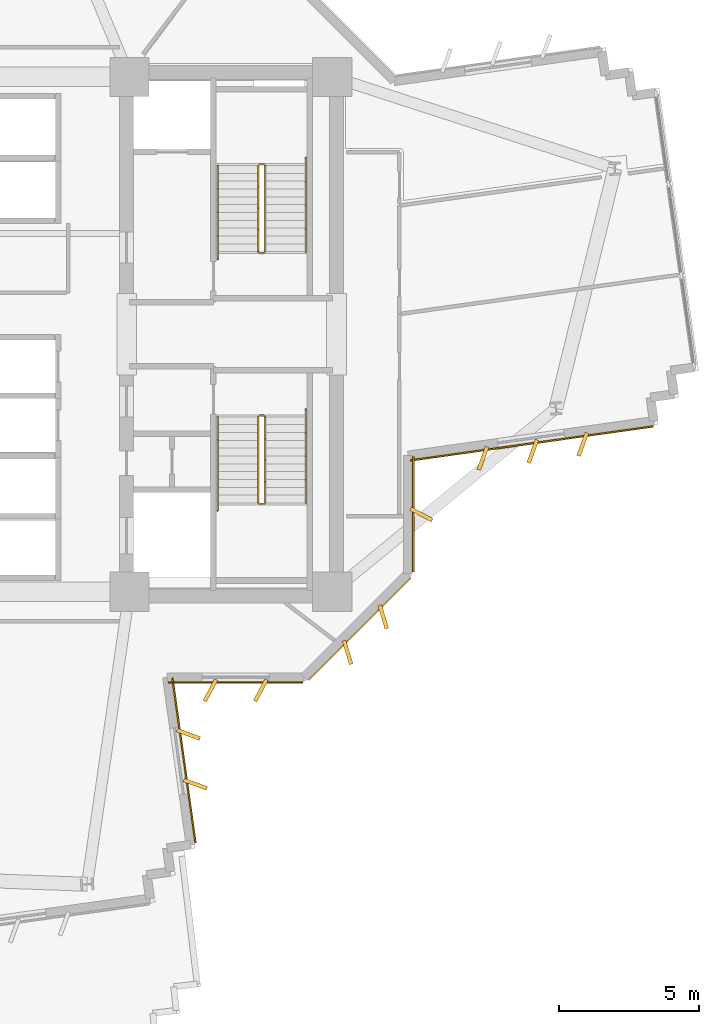
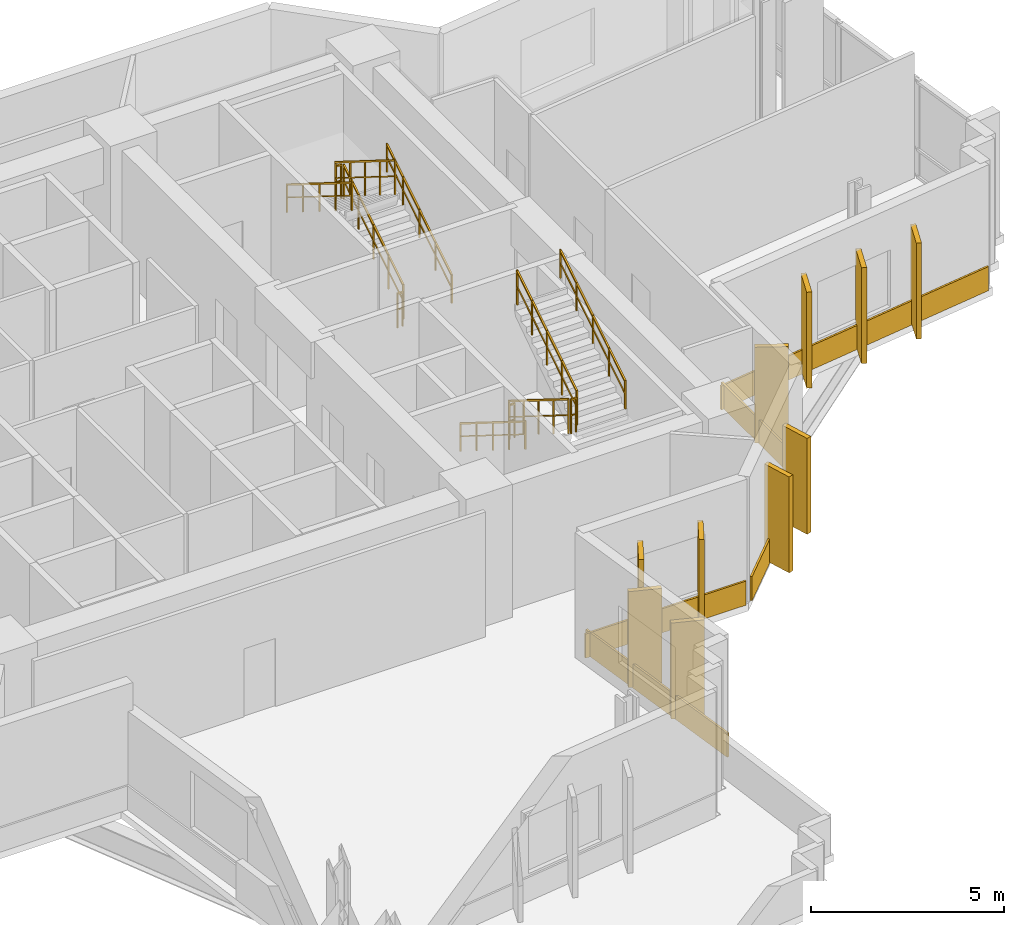
# One storey, part 12 of 13: 15 coverings, 12 railings.
"""IFC4 building model written with IfcOpenShell, lengths in metres."""

from ifc_helpers import new_model, si_unit, direction, frame, origin, origin_2d, place, context, subcontext, project, spatial, rectangle, extrude, source, transform, mapped, material, layer, layer_set, type_object, element, save


model = new_model("IFC4")

# Units and contexts
model_context = context("Model", 3, precision=1e-05, world=origin(), true_north=direction((0.0, 1.0)))
body_context = subcontext(model_context, "Body", "Model", "MODEL_VIEW")
ifc_project = project(units=[si_unit("LENGTHUNIT", "METRE"), si_unit("AREAUNIT", "SQUARE_METRE"), si_unit("VOLUMEUNIT", "CUBIC_METRE"), si_unit("PLANEANGLEUNIT", "RADIAN"), si_unit("MASSUNIT", "GRAM", prefix="KILO")], contexts=[model_context])

# Site, building, storey
site_placement = place(None, origin())
site = spatial("IfcSite", under=ifc_project, at=site_placement, CompositionType="ELEMENT")
building_placement = place(site_placement, origin())
building = spatial("IfcBuilding", under=site, at=building_placement, Name="Zahravan Cultural Tower", CompositionType="ELEMENT")
storey_placement = place(building_placement, frame((0.0, 0.0, 117.300048828125)))
storey = spatial("IfcBuildingStorey", under=building, at=storey_placement, Name="L26", CompositionType="ELEMENT", Elevation=117.300048828125)

# Railings
ifc_material_1 = material(Name="Steel ASTM A572 Grade 50", Category="steel")
railing_type_1 = type_object("IfcRailingType", Name="RL-STAIR-GRD1150", PredefinedType="BALUSTRADE", material=ifc_material_1)
railing_1_placement = place(storey_placement, frame((47.949951171875, 29.949951171875, 0.175048828125)))
element("IfcRailing", 1, at=railing_1_placement, inside=storey, type_object=railing_type_1, Name="L26 ST-E1 stair guard 1", PredefinedType="BALUSTRADE", context=body_context, shape_type="SweptSolid", body=[
    extrude(rectangle(XDim=0.05, YDim=0.05, at=origin_2d()), frame((0.0, 0.0, 1.0751953125), z_axis=(0.0, 0.848028513186, 0.529950602248), x_axis=(-1.0, 0.0, 0.0)), (0.0, 0.0, 1.0), 3.632080078125),
    extrude(rectangle(XDim=0.032, YDim=0.032, at=origin_2d()), frame((0.0, 0.0, 0.572021484375), z_axis=(0.0, 0.848028513186, 0.529950602248), x_axis=(-1.0, 0.0, 0.0)), (0.0, 0.0, 1.0), 3.632080078125),
    extrude(rectangle(XDim=0.04, YDim=0.04, at=origin_2d()), origin(), (0.0, 0.0, 1.0), 1.10009765625),
    extrude(rectangle(XDim=0.04, YDim=0.04, at=origin_2d()), frame((0.0, 0.77001953125, 0.481201171875)), (0.0, 0.0, 1.0), 1.10009765625),
    extrude(rectangle(XDim=0.04, YDim=0.04, at=origin_2d()), frame((0.0, 1.5400390625, 0.96240234375)), (0.0, 0.0, 1.0), 1.10009765625),
    extrude(rectangle(XDim=0.04, YDim=0.04, at=origin_2d()), frame((0.0, 2.31005859375, 1.443603515625)), (0.0, 0.0, 1.0), 1.10009765625),
    extrude(rectangle(XDim=0.04, YDim=0.04, at=origin_2d()), frame((0.0, 3.080078125, 1.9248046875)), (0.0, 0.0, 1.0), 1.10009765625),
])
railing_2_placement = place(storey_placement, frame((47.89990234375, 33.080078125, 2.099853515625)))
element("IfcRailing", 2, at=railing_2_placement, inside=storey, type_object=railing_type_1, Name="L26 ST-E1 stair guard 2", PredefinedType="BALUSTRADE", context=body_context, shape_type="SweptSolid", body=[
    extrude(rectangle(XDim=0.05, YDim=0.05, at=origin_2d()), frame((0.0, 0.0, 1.0751953125), z_axis=(-1.0, 0.0, 0.0), x_axis=(0.0, -1.0, 0.0)), (0.0, 0.0, 1.0), 0.14990234375),
    extrude(rectangle(XDim=0.032, YDim=0.032, at=origin_2d()), frame((0.0, 0.0, 0.572021484375), z_axis=(-1.0, 0.0, 0.0), x_axis=(0.0, -1.0, 0.0)), (0.0, 0.0, 1.0), 0.14990234375),
    extrude(rectangle(XDim=0.04, YDim=0.04, at=origin_2d()), origin(), (0.0, 0.0, 1.0), 1.10009765625),
    extrude(rectangle(XDim=0.04, YDim=0.04, at=origin_2d()), frame((-0.14990234375, 0.0, 0.0)), (0.0, 0.0, 1.0), 1.10009765625),
])
railing_3_placement = place(storey_placement, frame((47.699951171875, 33.030029296875, 2.27490234375)))
element("IfcRailing", 3, at=railing_3_placement, inside=storey, type_object=railing_type_1, Name="L26 ST-E1 stair guard 3", PredefinedType="BALUSTRADE", context=body_context, shape_type="SweptSolid", body=[
    extrude(rectangle(XDim=0.05, YDim=0.05, at=origin_2d()), frame((0.0, 0.0, 1.0751953125), z_axis=(0.0, -0.847998304005, 0.529998940003), x_axis=(1.0, 0.0, 0.0)), (0.0, 0.0, 1.0), 3.632080078125),
    extrude(rectangle(XDim=0.032, YDim=0.032, at=origin_2d()), frame((0.0, 0.0, 0.572021484375), z_axis=(0.0, -0.847998304005, 0.529998940003), x_axis=(1.0, 0.0, 0.0)), (0.0, 0.0, 1.0), 3.632080078125),
    extrude(rectangle(XDim=0.04, YDim=0.04, at=origin_2d()), origin(), (0.0, 0.0, 1.0), 1.10009765625),
    extrude(rectangle(XDim=0.04, YDim=0.04, at=origin_2d()), frame((0.0, -0.77001953125, 0.481201171875)), (0.0, 0.0, 1.0), 1.10009765625),
    extrude(rectangle(XDim=0.04, YDim=0.04, at=origin_2d()), frame((0.0, -1.5400390625, 0.96240234375)), (0.0, 0.0, 1.0), 1.10009765625),
    extrude(rectangle(XDim=0.04, YDim=0.04, at=origin_2d()), frame((0.0, -2.31005859375, 1.44384765625)), (0.0, 0.0, 1.0), 1.10009765625),
    extrude(rectangle(XDim=0.04, YDim=0.04, at=origin_2d()), frame((0.0, -3.080078125, 1.925048828125)), (0.0, 0.0, 1.0), 1.10009765625),
])
railing_4_placement = place(storey_placement, frame((47.89990234375, 29.89990234375, 0.0)))
element("IfcRailing", 4, at=railing_4_placement, inside=storey, type_object=railing_type_1, Name="L26 ST-E1 stair guard 4", PredefinedType="BALUSTRADE", context=body_context, shape_type="SweptSolid", body=[
    extrude(rectangle(XDim=0.05, YDim=0.05, at=origin_2d()), frame((0.0, 0.0, 1.0751953125), z_axis=(-1.0, 0.0, 0.0), x_axis=(0.0, -1.0, 0.0)), (0.0, 0.0, 1.0), 0.14990234375),
    extrude(rectangle(XDim=0.032, YDim=0.032, at=origin_2d()), frame((0.0, 0.0, 0.572021484375), z_axis=(-1.0, 0.0, 0.0), x_axis=(0.0, -1.0, 0.0)), (0.0, 0.0, 1.0), 0.14990234375),
    extrude(rectangle(XDim=0.04, YDim=0.04, at=origin_2d()), origin(), (0.0, 0.0, 1.0), 1.10009765625),
    extrude(rectangle(XDim=0.04, YDim=0.04, at=origin_2d()), frame((-0.14990234375, 0.0, 0.0)), (0.0, 0.0, 1.0), 1.10009765625),
])
railing_5_placement = place(storey_placement, frame((47.699951171875, 24.050048828125, 0.175048828125)))
element("IfcRailing", 5, at=railing_5_placement, inside=storey, type_object=railing_type_1, Name="L26 ST-E2 stair guard 1", PredefinedType="BALUSTRADE", context=body_context, shape_type="SweptSolid", body=[
    extrude(rectangle(XDim=0.05, YDim=0.05, at=origin_2d()), frame((0.0, 0.0, 1.0751953125), z_axis=(0.0, -0.848028513186, 0.529950602248), x_axis=(1.0, 0.0, 0.0)), (0.0, 0.0, 1.0), 3.632080078125),
    extrude(rectangle(XDim=0.032, YDim=0.032, at=origin_2d()), frame((0.0, 0.0, 0.572021484375), z_axis=(0.0, -0.848028513186, 0.529950602248), x_axis=(1.0, 0.0, 0.0)), (0.0, 0.0, 1.0), 3.632080078125),
    extrude(rectangle(XDim=0.04, YDim=0.04, at=origin_2d()), origin(), (0.0, 0.0, 1.0), 1.10009765625),
    extrude(rectangle(XDim=0.04, YDim=0.04, at=origin_2d()), frame((0.0, -0.77001953125, 0.481201171875)), (0.0, 0.0, 1.0), 1.10009765625),
    extrude(rectangle(XDim=0.04, YDim=0.04, at=origin_2d()), frame((0.0, -1.5400390625, 0.96240234375)), (0.0, 0.0, 1.0), 1.10009765625),
    extrude(rectangle(XDim=0.04, YDim=0.04, at=origin_2d()), frame((0.0, -2.31005859375, 1.443603515625)), (0.0, 0.0, 1.0), 1.10009765625),
    extrude(rectangle(XDim=0.04, YDim=0.04, at=origin_2d()), frame((0.0, -3.080078125, 1.9248046875)), (0.0, 0.0, 1.0), 1.10009765625),
])
railing_6_placement = place(storey_placement, frame((47.75, 20.919921875, 2.099853515625)))
element("IfcRailing", 6, at=railing_6_placement, inside=storey, type_object=railing_type_1, Name="L26 ST-E2 stair guard 2", PredefinedType="BALUSTRADE", context=body_context, shape_type="SweptSolid", body=[
    extrude(rectangle(XDim=0.05, YDim=0.05, at=origin_2d()), frame((0.0, 0.0, 1.0751953125), z_axis=(1.0, 0.0, 0.0), x_axis=(0.0, 1.0, 0.0)), (0.0, 0.0, 1.0), 0.14990234375),
    extrude(rectangle(XDim=0.032, YDim=0.032, at=origin_2d()), frame((0.0, 0.0, 0.572021484375), z_axis=(1.0, 0.0, 0.0), x_axis=(0.0, 1.0, 0.0)), (0.0, 0.0, 1.0), 0.14990234375),
    extrude(rectangle(XDim=0.04, YDim=0.04, at=origin_2d()), origin(), (0.0, 0.0, 1.0), 1.10009765625),
    extrude(rectangle(XDim=0.04, YDim=0.04, at=origin_2d()), frame((0.14990234375, 0.0, 0.0)), (0.0, 0.0, 1.0), 1.10009765625),
])
railing_7_placement = place(storey_placement, frame((47.949951171875, 20.969970703125, 2.27490234375)))
element("IfcRailing", 7, at=railing_7_placement, inside=storey, type_object=railing_type_1, Name="L26 ST-E2 stair guard 3", PredefinedType="BALUSTRADE", context=body_context, shape_type="SweptSolid", body=[
    extrude(rectangle(XDim=0.05, YDim=0.05, at=origin_2d()), frame((0.0, 0.0, 1.0751953125), z_axis=(0.0, 0.847998304005, 0.529998940003), x_axis=(-1.0, 0.0, 0.0)), (0.0, 0.0, 1.0), 3.632080078125),
    extrude(rectangle(XDim=0.032, YDim=0.032, at=origin_2d()), frame((0.0, 0.0, 0.572021484375), z_axis=(0.0, 0.847998304005, 0.529998940003), x_axis=(-1.0, 0.0, 0.0)), (0.0, 0.0, 1.0), 3.632080078125),
    extrude(rectangle(XDim=0.04, YDim=0.04, at=origin_2d()), origin(), (0.0, 0.0, 1.0), 1.10009765625),
    extrude(rectangle(XDim=0.04, YDim=0.04, at=origin_2d()), frame((0.0, 0.77001953125, 0.481201171875)), (0.0, 0.0, 1.0), 1.10009765625),
    extrude(rectangle(XDim=0.04, YDim=0.04, at=origin_2d()), frame((0.0, 1.5400390625, 0.96240234375)), (0.0, 0.0, 1.0), 1.10009765625),
    extrude(rectangle(XDim=0.04, YDim=0.04, at=origin_2d()), frame((0.0, 2.31005859375, 1.44384765625)), (0.0, 0.0, 1.0), 1.10009765625),
    extrude(rectangle(XDim=0.04, YDim=0.04, at=origin_2d()), frame((0.0, 3.080078125, 1.925048828125)), (0.0, 0.0, 1.0), 1.10009765625),
])
railing_8_placement = place(storey_placement, frame((47.75, 24.10009765625, 0.0)))
element("IfcRailing", 8, at=railing_8_placement, inside=storey, type_object=railing_type_1, Name="L26 ST-E2 stair guard 4", PredefinedType="BALUSTRADE", context=body_context, shape_type="SweptSolid", body=[
    extrude(rectangle(XDim=0.05, YDim=0.05, at=origin_2d()), frame((0.0, 0.0, 1.0751953125), z_axis=(1.0, 0.0, 0.0), x_axis=(0.0, 1.0, 0.0)), (0.0, 0.0, 1.0), 0.14990234375),
    extrude(rectangle(XDim=0.032, YDim=0.032, at=origin_2d()), frame((0.0, 0.0, 0.572021484375), z_axis=(1.0, 0.0, 0.0), x_axis=(0.0, 1.0, 0.0)), (0.0, 0.0, 1.0), 0.14990234375),
    extrude(rectangle(XDim=0.04, YDim=0.04, at=origin_2d()), origin(), (0.0, 0.0, 1.0), 1.10009765625),
    extrude(rectangle(XDim=0.04, YDim=0.04, at=origin_2d()), frame((0.14990234375, 0.0, 0.0)), (0.0, 0.0, 1.0), 1.10009765625),
])
railing_type_2 = type_object("IfcRailingType", Name="RL-STAIR-HR900", PredefinedType="HANDRAIL", material=ifc_material_1)
railing_9_placement = place(storey_placement, frame((49.39990234375, 29.949951171875, 0.175048828125)))
element("IfcRailing", 9, at=railing_9_placement, inside=storey, type_object=railing_type_2, Name="L26 ST-E1 stair handrail 1", PredefinedType="HANDRAIL", context=body_context, shape_type="SweptSolid", body=[
    extrude(rectangle(XDim=0.05, YDim=0.05, at=origin_2d()), frame((0.0, 0.0, 0.875), z_axis=(0.0, 0.848022534174, 0.529960169762), x_axis=(-1.0, 0.0, 0.0)), (0.0, 0.0, 1.0), 3.96240234375),
    extrude(rectangle(XDim=0.032, YDim=0.032, at=origin_2d()), frame((0.0, 0.0, 0.468017578125), z_axis=(0.0, 0.848022534174, 0.529960169762), x_axis=(-1.0, 0.0, 0.0)), (0.0, 0.0, 1.0), 3.96240234375),
    extrude(rectangle(XDim=0.04, YDim=0.04, at=origin_2d()), origin(), (0.0, 0.0, 1.0), 0.89990234375),
    extrude(rectangle(XDim=0.04, YDim=0.04, at=origin_2d()), frame((0.0, 0.840087890625, 0.52490234375)), (0.0, 0.0, 1.0), 0.89990234375),
    extrude(rectangle(XDim=0.04, YDim=0.04, at=origin_2d()), frame((0.0, 1.68017578125, 1.0498046875)), (0.0, 0.0, 1.0), 0.89990234375),
    extrude(rectangle(XDim=0.04, YDim=0.04, at=origin_2d()), frame((0.0, 2.52001953125, 1.574951171875)), (0.0, 0.0, 1.0), 0.89990234375),
    extrude(rectangle(XDim=0.04, YDim=0.04, at=origin_2d()), frame((0.0, 3.360107421875, 2.099853515625)), (0.0, 0.0, 1.0), 0.89990234375),
])
railing_10_placement = place(storey_placement, frame((46.25, 33.030029296875, 2.27490234375)))
element("IfcRailing", 10, at=railing_10_placement, inside=storey, type_object=railing_type_2, Name="L26 ST-E1 stair handrail 2", PredefinedType="HANDRAIL", context=body_context, shape_type="SweptSolid", body=[
    extrude(rectangle(XDim=0.05, YDim=0.05, at=origin_2d()), frame((0.0, 0.0, 0.875), z_axis=(0.0, -0.847994842521, 0.530004478338), x_axis=(1.0, 0.0, 0.0)), (0.0, 0.0, 1.0), 3.96240234375),
    extrude(rectangle(XDim=0.032, YDim=0.032, at=origin_2d()), frame((0.0, 0.0, 0.468017578125), z_axis=(0.0, -0.847994842521, 0.530004478338), x_axis=(1.0, 0.0, 0.0)), (0.0, 0.0, 1.0), 3.96240234375),
    extrude(rectangle(XDim=0.04, YDim=0.04, at=origin_2d()), origin(), (0.0, 0.0, 1.0), 0.89990234375),
    extrude(rectangle(XDim=0.04, YDim=0.04, at=origin_2d()), frame((0.0, -0.840087890625, 0.52490234375)), (0.0, 0.0, 1.0), 0.89990234375),
    extrude(rectangle(XDim=0.04, YDim=0.04, at=origin_2d()), frame((0.0, -1.68017578125, 1.050048828125)), (0.0, 0.0, 1.0), 0.89990234375),
    extrude(rectangle(XDim=0.04, YDim=0.04, at=origin_2d()), frame((0.0, -2.52001953125, 1.5751953125)), (0.0, 0.0, 1.0), 0.89990234375),
    extrude(rectangle(XDim=0.04, YDim=0.04, at=origin_2d()), frame((0.0, -3.360107421875, 2.10009765625)), (0.0, 0.0, 1.0), 0.89990234375),
])
railing_11_placement = place(storey_placement, frame((46.25, 24.050048828125, 0.175048828125)))
element("IfcRailing", 11, at=railing_11_placement, inside=storey, type_object=railing_type_2, Name="L26 ST-E2 stair handrail 1", PredefinedType="HANDRAIL", context=body_context, shape_type="SweptSolid", body=[
    extrude(rectangle(XDim=0.05, YDim=0.05, at=origin_2d()), frame((0.0, 0.0, 0.875), z_axis=(0.0, -0.848022534174, 0.529960169762), x_axis=(1.0, 0.0, 0.0)), (0.0, 0.0, 1.0), 3.96240234375),
    extrude(rectangle(XDim=0.032, YDim=0.032, at=origin_2d()), frame((0.0, 0.0, 0.468017578125), z_axis=(0.0, -0.848022534174, 0.529960169762), x_axis=(1.0, 0.0, 0.0)), (0.0, 0.0, 1.0), 3.96240234375),
    extrude(rectangle(XDim=0.04, YDim=0.04, at=origin_2d()), origin(), (0.0, 0.0, 1.0), 0.89990234375),
    extrude(rectangle(XDim=0.04, YDim=0.04, at=origin_2d()), frame((0.0, -0.840087890625, 0.52490234375)), (0.0, 0.0, 1.0), 0.89990234375),
    extrude(rectangle(XDim=0.04, YDim=0.04, at=origin_2d()), frame((0.0, -1.68017578125, 1.0498046875)), (0.0, 0.0, 1.0), 0.89990234375),
    extrude(rectangle(XDim=0.04, YDim=0.04, at=origin_2d()), frame((0.0, -2.52001953125, 1.574951171875)), (0.0, 0.0, 1.0), 0.89990234375),
    extrude(rectangle(XDim=0.04, YDim=0.04, at=origin_2d()), frame((0.0, -3.360107421875, 2.099853515625)), (0.0, 0.0, 1.0), 0.89990234375),
])
railing_12_placement = place(storey_placement, frame((49.39990234375, 20.969970703125, 2.27490234375)))
element("IfcRailing", 12, at=railing_12_placement, inside=storey, type_object=railing_type_2, Name="L26 ST-E2 stair handrail 2", PredefinedType="HANDRAIL", context=body_context, shape_type="SweptSolid", body=[
    extrude(rectangle(XDim=0.05, YDim=0.05, at=origin_2d()), frame((0.0, 0.0, 0.875), z_axis=(0.0, 0.847994842521, 0.530004478338), x_axis=(-1.0, 0.0, 0.0)), (0.0, 0.0, 1.0), 3.96240234375),
    extrude(rectangle(XDim=0.032, YDim=0.032, at=origin_2d()), frame((0.0, 0.0, 0.468017578125), z_axis=(0.0, 0.847994842521, 0.530004478338), x_axis=(-1.0, 0.0, 0.0)), (0.0, 0.0, 1.0), 3.96240234375),
    extrude(rectangle(XDim=0.04, YDim=0.04, at=origin_2d()), origin(), (0.0, 0.0, 1.0), 0.89990234375),
    extrude(rectangle(XDim=0.04, YDim=0.04, at=origin_2d()), frame((0.0, 0.840087890625, 0.52490234375)), (0.0, 0.0, 1.0), 0.89990234375),
    extrude(rectangle(XDim=0.04, YDim=0.04, at=origin_2d()), frame((0.0, 1.68017578125, 1.050048828125)), (0.0, 0.0, 1.0), 0.89990234375),
    extrude(rectangle(XDim=0.04, YDim=0.04, at=origin_2d()), frame((0.0, 2.52001953125, 1.5751953125)), (0.0, 0.0, 1.0), 0.89990234375),
    extrude(rectangle(XDim=0.04, YDim=0.04, at=origin_2d()), frame((0.0, 3.360107421875, 2.10009765625)), (0.0, 0.0, 1.0), 0.89990234375),
])

# Coverings
ifc_material_2 = material(Name="Terracotta ceramic cladding", Category="masonry")
ifc_layer = layer(ifc_material_2, 0.06005859375)
ifc_layer_set = layer_set([ifc_layer], Name="Terracotta ceramic cladding")
covering_type = type_object("IfcCoveringType", Name="COV-CLAD-TC60", PredefinedType="CLADDING", material=ifc_layer_set)
shared_shape_1 = source(origin(), body_context, "Body", "SweptSolid", [
    extrude(rectangle(XDim=5.157958984375, YDim=0.06005859375, at=origin_2d()), origin(), (0.0, 0.0, 1.0), 0.760009765625),
])
covering_1_placement = place(storey_placement, frame((51.331787109375, 16.46826171875, 0.02001953125), z_axis=(0.0, 0.0, 1.0), x_axis=(-0.707106781187, -0.707106781187, 0.0)))
element("IfcCovering", 13, at=covering_1_placement, inside=storey, type_object=covering_type, Name="L26 Terracotta Spandrel Cladding 12", PredefinedType="CLADDING", context=body_context, shape_type="MappedRepresentation", body=[
    mapped(shared_shape_1, transform((0.0, 0.0, 0.0), x_axis=(1.0, 0.0, 0.0), y_axis=(0.0, 1.0, 0.0), z_axis=(0.0, 0.0, 1.0), scale=1.0)),
])
shared_shape_2 = source(origin(), body_context, "Body", "SweptSolid", [
    extrude(rectangle(XDim=0.8798828125, YDim=0.139892578125, at=origin_2d()), origin(), (0.0, 0.0, 1.0), 3.030029296875),
])
for number, where, z_axis, x_axis, name in (
    (14, (59.29833984375, 23.06640625, 0.0498046875), (0.0, 0.0, 1.0), (-0.342348137086, -0.939573175987, 0.0), "L26 Herringbone Terracotta Fin 04"),
    (15, (57.515625, 22.81640625, 0.0498046875), (0.0, 0.0, 1.0), (-0.342348137086, -0.939573175987, 0.0), "L26 Herringbone Terracotta Fin 05"),
    (16, (55.733154296875, 22.566650390625, 0.0498046875), (0.0, 0.0, 1.0), (-0.342348137086, -0.939573175987, 0.0), "L26 Herringbone Terracotta Fin 06"),
    (17, (53.530029296875, 20.562255859375, 0.0498046875), (0.0, 0.0, 1.0), (0.882947592859, -0.469471562786, 0.0), "L26 Herringbone Terracotta Fin 07"),
    (18, (52.169677734375, 16.903076171875, 0.0498046875), (0.0, 0.0, 1.0), (0.292371704723, -0.956304755963, 0.0), "L26 Herringbone Terracotta Fin 08"),
    (19, (50.89697265625, 15.63037109375, 0.0498046875), (0.0, 0.0, 1.0), (0.292371704723, -0.956304755963, 0.0), "L26 Herringbone Terracotta Fin 09"),
    (20, (47.79296875, 14.27001953125, 0.0498046875), (0.0, 0.0, 1.0), (-0.469471562786, -0.882947592859, 0.0), "L26 Herringbone Terracotta Fin 10"),
    (21, (45.992919921875, 14.27001953125, 0.0498046875), (0.0, 0.0, 1.0), (-0.469471562786, -0.882947592859, 0.0), "L26 Herringbone Terracotta Fin 11"),
    (22, (45.2041015625, 12.70263671875, 0.0498046875), (0.0, 0.0, 1.0), (0.939573175987, -0.342348137086, 0.0), "L26 Herringbone Terracotta Fin 12"),
    (23, (45.453857421875, 10.919921875, 0.0498046875), (0.0, 0.0, 1.0), (0.939573175987, -0.342348137086, 0.0), "L26 Herringbone Terracotta Fin 13"),
):
    element("IfcCovering", number, at=place(storey_placement, frame(where, z_axis=z_axis, x_axis=x_axis)), inside=storey, type_object=covering_type, Name=name, PredefinedType="CLADDING", context=body_context, shape_type="MappedRepresentation", body=[
        mapped(shared_shape_2, transform((0.0, 0.0, 0.0), x_axis=(1.0, 0.0, 0.0), y_axis=(0.0, 1.0, 0.0), z_axis=(0.0, 0.0, 1.0), scale=1.0)),
    ])
shared_shape_3 = source(origin(), body_context, "Body", "SweptSolid", [
    extrude(rectangle(XDim=8.766845703125, YDim=0.06005859375, at=origin_2d()), origin(), (0.0, 0.0, 1.0), 0.760009765625),
])
covering_2_placement = place(storey_placement, frame((57.47607421875, 23.0986328125, 0.02001953125), z_axis=(0.0, 0.0, 1.0), x_axis=(-0.990316588987, -0.138827423723, 0.0)))
element("IfcCovering", 24, at=covering_2_placement, inside=storey, type_object=covering_type, Name="L26 Terracotta Spandrel Cladding 10", PredefinedType="CLADDING", context=body_context, shape_type="MappedRepresentation", body=[
    mapped(shared_shape_3, transform((0.0, 0.0, 0.0), x_axis=(1.0, 0.0, 0.0), y_axis=(0.0, 1.0, 0.0), z_axis=(0.0, 0.0, 1.0), scale=1.0)),
])
shared_shape_4 = source(origin(), body_context, "Body", "SweptSolid", [
    extrude(rectangle(XDim=4.1083984375, YDim=0.06005859375, at=origin_2d()), origin(), (0.0, 0.0, 1.0), 0.760009765625),
])
covering_3_placement = place(storey_placement, frame((53.2451171875, 20.562255859375, 0.02001953125), z_axis=(0.0, 0.0, 1.0), x_axis=(0.0, -1.0, 0.0)))
element("IfcCovering", 25, at=covering_3_placement, inside=storey, type_object=covering_type, Name="L26 Terracotta Spandrel Cladding 11", PredefinedType="CLADDING", context=body_context, shape_type="MappedRepresentation", body=[
    mapped(shared_shape_4, transform((0.0, 0.0, 0.0), x_axis=(1.0, 0.0, 0.0), y_axis=(0.0, 1.0, 0.0), z_axis=(0.0, 0.0, 1.0), scale=1.0)),
])
shared_shape_5 = source(origin(), body_context, "Body", "SweptSolid", [
    extrude(rectangle(XDim=4.798095703125, YDim=0.06005859375, at=origin_2d()), origin(), (0.0, 0.0, 1.0), 0.760009765625),
])
covering_4_placement = place(storey_placement, frame((46.892822265625, 14.554931640625, 0.02001953125), z_axis=(0.0, 0.0, 1.0), x_axis=(-1.0, 0.0, 0.0)))
element("IfcCovering", 26, at=covering_4_placement, inside=storey, type_object=covering_type, Name="L26 Terracotta Spandrel Cladding 13", PredefinedType="CLADDING", context=body_context, shape_type="MappedRepresentation", body=[
    mapped(shared_shape_5, transform((0.0, 0.0, 0.0), x_axis=(1.0, 0.0, 0.0), y_axis=(0.0, 1.0, 0.0), z_axis=(0.0, 0.0, 1.0), scale=1.0)),
])
shared_shape_6 = source(origin(), body_context, "Body", "SweptSolid", [
    extrude(rectangle(XDim=5.9462890625, YDim=0.06005859375, at=origin_2d()), origin(), (0.0, 0.0, 1.0), 0.760009765625),
])
covering_5_placement = place(storey_placement, frame((45.046630859375, 11.771728515625, 0.02001953125), z_axis=(0.0, 0.0, 1.0), x_axis=(0.138827423723, -0.990316588987, 0.0)))
element("IfcCovering", 27, at=covering_5_placement, inside=storey, type_object=covering_type, Name="L26 Terracotta Spandrel Cladding 14", PredefinedType="CLADDING", context=body_context, shape_type="MappedRepresentation", body=[
    mapped(shared_shape_6, transform((0.0, 0.0, 0.0), x_axis=(1.0, 0.0, 0.0), y_axis=(0.0, 1.0, 0.0), z_axis=(0.0, 0.0, 1.0), scale=1.0)),
])

save(model, "model.ifc")
